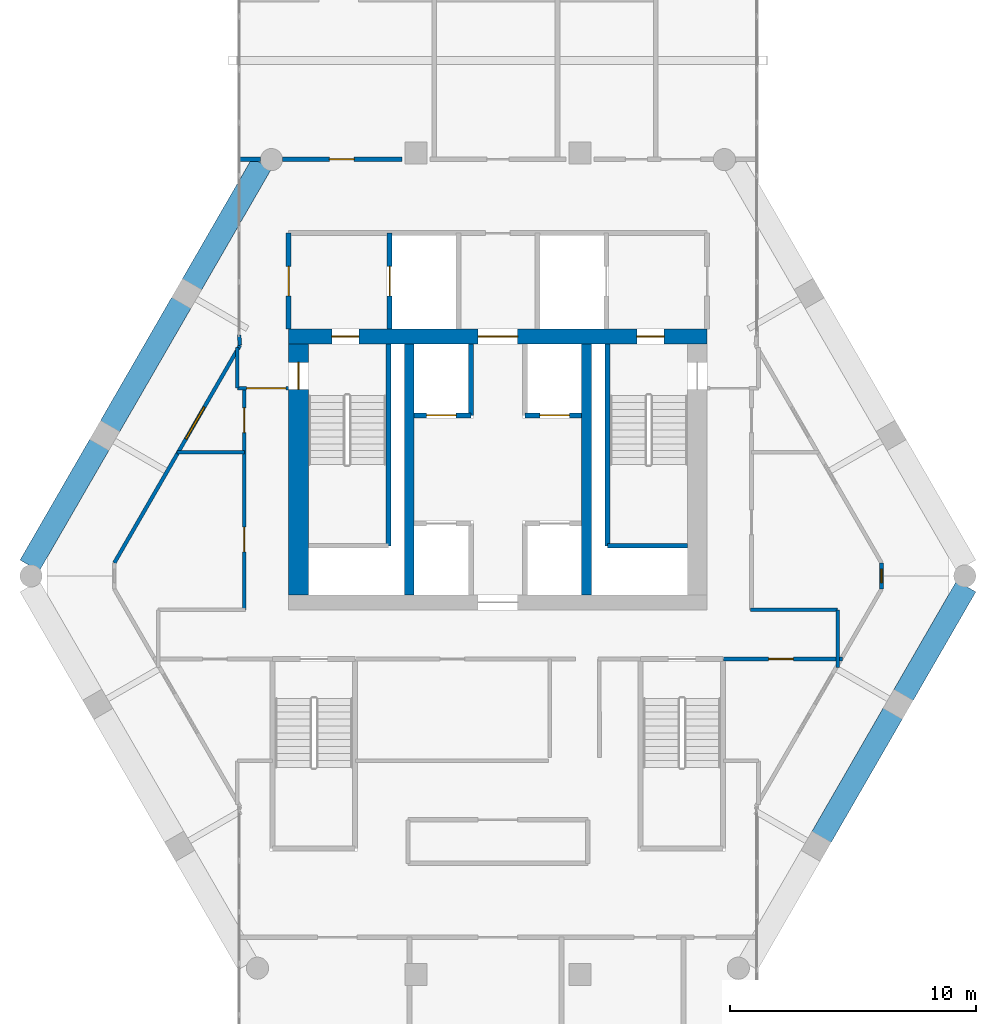
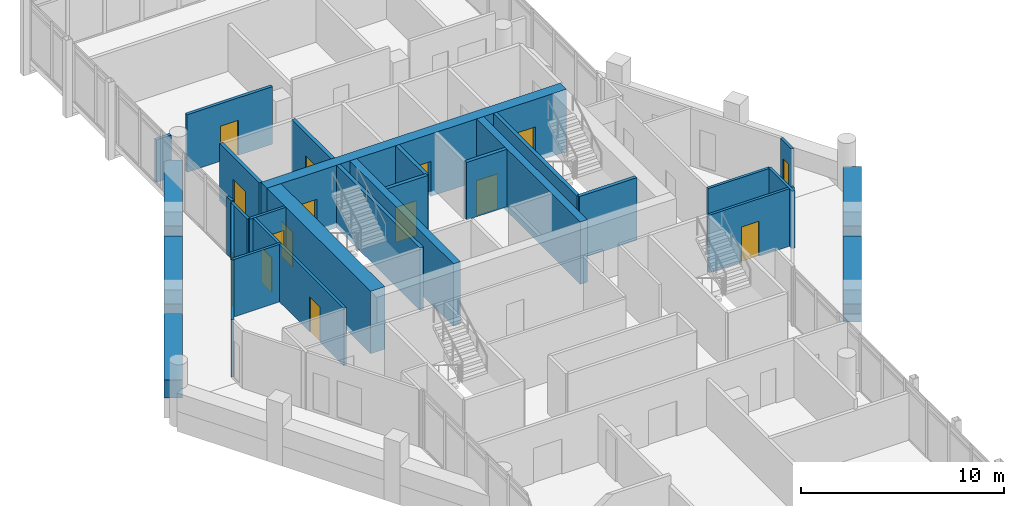
# One storey, part 22 of 25: 29 walls, 13 doors, 2 windows, 15 openings.
"""IFC4 building model written with IfcOpenShell, lengths in metres."""

from ifc_helpers import new_model, si_unit, direction, frame, frame_2d, origin, place, context, subcontext, project, spatial, rectangle, extrude, material, layer, layer_set, type_object, element, fill, save


model = new_model("IFC4")

# Units and contexts
model_context = context("Model", 3, precision=1e-05, world=origin(), true_north=direction((0.0, 1.0)))
body_context = subcontext(model_context, "Body", "Model", "MODEL_VIEW")
ifc_project = project(units=[si_unit("LENGTHUNIT", "METRE"), si_unit("AREAUNIT", "SQUARE_METRE"), si_unit("VOLUMEUNIT", "CUBIC_METRE"), si_unit("PLANEANGLEUNIT", "RADIAN"), si_unit("MASSUNIT", "GRAM", prefix="KILO")], contexts=[model_context])

# Site, building, storey
site_placement = place(None, origin())
site = spatial("IfcSite", under=ifc_project, at=site_placement, CompositionType="ELEMENT")
building_placement = place(site_placement, origin())
building = spatial("IfcBuilding", under=site, at=building_placement, Name="Ostrander Bayou Hotel Tower", CompositionType="ELEMENT")
storey_placement = place(building_placement, frame((0.0, 0.0, 233.25)))
storey = spatial("IfcBuildingStorey", under=building, at=storey_placement, Name="L58", CompositionType="ELEMENT", Elevation=233.25)

# Wall, openings, doors
ifc_material_1 = material(Name="Concrete f'c 60 MPa", Category="concrete")
ifc_layer_1 = layer(ifc_material_1, 0.60009765625)
ifc_layer_set_1 = layer_set([ifc_layer_1], Name="CW10 core wall 600 mm f'c 60 MPa")
wall_type_1 = type_object("IfcWallType", Name="CW10 core wall 600 mm f'c 60 MPa", PredefinedType="SHEAR", material=ifc_layer_set_1)
wall_1_placement = place(storey_placement, frame((-8.5, 9.39990234375, -0.300048828125), z_axis=(0.0, 0.0, 1.0), x_axis=(1.0, 0.0, 0.0)))
wall_1 = element("IfcWall", 1, at=wall_1_placement, inside=storey, type_object=wall_type_1, Name="CW10 L58 N", PredefinedType="SHEAR", context=body_context, shape_type="SweptSolid", body=[
    extrude(rectangle(XDim=17.0, YDim=0.60009765625, at=frame_2d((8.5, 0.0))), origin(), (0.0, 0.0, 1.0), 3.75),
])
opening_1_placement = place(wall_1_placement, frame((7.699951171875, 0.0, 0.0)))
opening_1 = element("IfcOpeningElement", 2, at=opening_1_placement, cuts=wall_1, Name="Opening T57-006", PredefinedType="OPENING", context=body_context, shape_type="SweptSolid", body=[
    extrude(rectangle(XDim=1.60009765625, YDim=2.10009765625, at=frame_2d((0.800048828125, 1.050048828125))), frame((0.0, 0.300048828125, 0.0), z_axis=(0.0, -1.0, 0.0), x_axis=(1.0, 0.0, 0.0)), (0.0, 0.0, 1.0), 0.60009765625),
])
opening_2_placement = place(wall_1_placement, frame((1.75, 0.0, 0.0)))
opening_2 = element("IfcOpeningElement", 3, at=opening_2_placement, cuts=wall_1, Name="Opening T57-007", PredefinedType="OPENING", context=body_context, shape_type="SweptSolid", body=[
    extrude(rectangle(XDim=1.10009765625, YDim=2.10009765625, at=frame_2d((0.550048828125, 1.050048828125))), frame((0.0, 0.300048828125, 0.0), z_axis=(0.0, -1.0, 0.0), x_axis=(1.0, 0.0, 0.0)), (0.0, 0.0, 1.0), 0.60009765625),
])
opening_3_placement = place(wall_1_placement, frame((14.14990234375, 0.0, 0.0)))
opening_3 = element("IfcOpeningElement", 4, at=opening_3_placement, cuts=wall_1, Name="Opening T57-009", PredefinedType="OPENING", context=body_context, shape_type="SweptSolid", body=[
    extrude(rectangle(XDim=1.10009765625, YDim=2.10009765625, at=frame_2d((0.550048828125, 1.050048828125))), frame((0.0, 0.300048828125, 0.0), z_axis=(0.0, -1.0, 0.0), x_axis=(1.0, 0.0, 0.0)), (0.0, 0.0, 1.0), 0.60009765625),
])
ifc_material_2 = material(Name="Timber door leaf", Category="wood")
door_type_1 = type_object("IfcDoorType", Name="D13 double door 1600 x 2100 mm, 1 hour", OperationType="SINGLE_SWING_LEFT", PredefinedType="DOOR", material=ifc_material_2)
door_1_placement = place(opening_1_placement, origin())
door_1 = element("IfcDoor", 5, at=door_1_placement, inside=storey, type_object=door_type_1, Name="dr:L58:006", OperationType="DOUBLE_DOOR_SINGLE_SWING", OverallHeight=2.10009765625, OverallWidth=1.60009765625, PredefinedType="DOOR", context=body_context, shape_type="SweptSolid", body=[
    extrude(rectangle(XDim=1.60009765625, YDim=2.10009765625, at=frame_2d((0.800048828125, 1.050048828125))), frame((0.0, 0.02490234375, 0.0), z_axis=(0.0, -1.0, 0.0), x_axis=(1.0, 0.0, 0.0)), (0.0, 0.0, 1.0), 0.050048828125),
])
fill(opening_1, door_1)
ifc_material_3 = material(Name="Timber door leaf", Category="wood")
door_type_2 = type_object("IfcDoorType", Name="D5 stair door 1100 x 2100 mm, 90 minute", OperationType="SINGLE_SWING_LEFT", PredefinedType="DOOR", material=ifc_material_3)
door_2_placement = place(opening_2_placement, origin())
door_2 = element("IfcDoor", 6, at=door_2_placement, inside=storey, type_object=door_type_2, Name="dr:L58:007", OperationType="SINGLE_SWING_LEFT", OverallHeight=2.10009765625, OverallWidth=1.10009765625, PredefinedType="DOOR", context=body_context, shape_type="SweptSolid", body=[
    extrude(rectangle(XDim=1.10009765625, YDim=2.10009765625, at=frame_2d((0.550048828125, 1.050048828125))), frame((0.0, 0.02490234375, 0.0), z_axis=(0.0, -1.0, 0.0), x_axis=(1.0, 0.0, 0.0)), (0.0, 0.0, 1.0), 0.050048828125),
])
fill(opening_2, door_2)
door_3_placement = place(opening_3_placement, origin())
door_3 = element("IfcDoor", 7, at=door_3_placement, inside=storey, type_object=door_type_2, Name="dr:L58:009", OperationType="SINGLE_SWING_RIGHT", OverallHeight=2.10009765625, OverallWidth=1.10009765625, PredefinedType="DOOR", context=body_context, shape_type="SweptSolid", body=[
    extrude(rectangle(XDim=1.10009765625, YDim=2.10009765625, at=frame_2d((0.550048828125, 1.050048828125))), frame((0.0, 0.02490234375, 0.0), z_axis=(0.0, -1.0, 0.0), x_axis=(1.0, 0.0, 0.0)), (0.0, 0.0, 1.0), 0.050048828125),
])
fill(opening_3, door_3)

# Wall, opening, door
ifc_material_4 = material(Name="Concrete f'c 60 MPa", Category="concrete")
ifc_layer_2 = layer(ifc_material_4, 0.800048828125)
ifc_layer_set_2 = layer_set([ifc_layer_2], Name="CW11 core spine wall 800 mm f'c 60 MPa")
wall_type_2 = type_object("IfcWallType", Name="CW11 core spine wall 800 mm f'c 60 MPa", PredefinedType="SHEAR", material=ifc_layer_set_2)
wall_2_placement = place(storey_placement, frame((-8.10009765625, -1.10009765625, -0.300048828125), z_axis=(0.0, 0.0, 1.0), x_axis=(0.0, 1.0, 0.0)))
wall_2 = element("IfcWall", 8, at=wall_2_placement, inside=storey, type_object=wall_type_2, Name="CW11 L58 W", PredefinedType="SHEAR", context=body_context, shape_type="SweptSolid", body=[
    extrude(rectangle(XDim=10.2001953125, YDim=0.800048828125, at=frame_2d((5.10009765625, 0.0))), origin(), (0.0, 0.0, 1.0), 3.75),
])
opening_4_placement = place(wall_2_placement, frame((8.35009765625, 0.0, 0.0)))
opening_4 = element("IfcOpeningElement", 9, at=opening_4_placement, cuts=wall_2, Name="Opening T57-008", PredefinedType="OPENING", context=body_context, shape_type="SweptSolid", body=[
    extrude(rectangle(XDim=1.10009765625, YDim=2.10009765625, at=frame_2d((0.550048828125, 1.050048828125))), frame((0.0, 0.39990234375, 0.0), z_axis=(0.0, -1.0, 0.0), x_axis=(1.0, 0.0, 0.0)), (0.0, 0.0, 1.0), 0.800048828125),
])
door_4_placement = place(opening_4_placement, origin())
door_4 = element("IfcDoor", 10, at=door_4_placement, inside=storey, type_object=door_type_2, Name="dr:L58:008", OperationType="SINGLE_SWING_RIGHT", OverallHeight=2.10009765625, OverallWidth=1.10009765625, PredefinedType="DOOR", context=body_context, shape_type="SweptSolid", body=[
    extrude(rectangle(XDim=1.10009765625, YDim=2.10009765625, at=frame_2d((0.550048828125, 1.050048828125))), frame((0.0, 0.02490234375, 0.0), z_axis=(0.0, -1.0, 0.0), x_axis=(1.0, 0.0, 0.0)), (0.0, 0.0, 1.0), 0.050048828125),
])
fill(opening_4, door_4)

# Walls
ifc_material_5 = material(Name="Concrete f'c 60 MPa", Category="concrete")
ifc_layer_3 = layer(ifc_material_5, 0.39990234375)
ifc_layer_set_3 = layer_set([ifc_layer_3], Name="CW12 core bank wall 400 mm f'c 60 MPa")
wall_type_3 = type_object("IfcWallType", Name="CW12 core bank wall 400 mm f'c 60 MPa", PredefinedType="SHEAR", material=ifc_layer_set_3)
for number, where, z_axis, x_axis, name in (
    (11, (-3.60009765625, -1.10009765625, -0.300048828125), (0.0, 0.0, 1.0), (0.0, 1.0, 0.0), "CW12 L58 CW"),
    (12, (3.60009765625, -1.10009765625, -0.300048828125), (0.0, 0.0, 1.0), (0.0, 1.0, 0.0), "CW12 L58 CE"),
):
    element("IfcWall", number, at=place(storey_placement, frame(where, z_axis=z_axis, x_axis=x_axis)), inside=storey, type_object=wall_type_3, Name=name, PredefinedType="SHEAR", context=body_context, shape_type="SweptSolid", body=[
        extrude(rectangle(XDim=10.2001953125, YDim=0.39990234375, at=frame_2d((5.10009765625, 0.0))), origin(), (0.0, 0.0, 1.0), 3.75),
    ])

# Wall, opening, window
ifc_material_6 = material(Name="Aluminium framed insulated wall", Category="aluminium")
ifc_layer_4 = layer(ifc_material_6, 0.14990234375)
ifc_layer_set_4 = layer_set([ifc_layer_4], Name="GW1 glass-line wall 150 mm")
wall_type_4 = type_object("IfcWallType", Name="GW1 glass-line wall 150 mm", PredefinedType="SOLIDWALL", material=ifc_layer_set_4)
wall_3_placement = place(storey_placement, frame((-10.47900390625, 9.04541015625, 0.0), z_axis=(0.0, 0.0, 1.0), x_axis=(-0.49998469459, -0.866034240187, 0.0)))
wall_3 = element("IfcWall", 13, at=wall_3_placement, inside=storey, type_object=wall_type_4, Name="GW1 L58 NW 1", PredefinedType="SOLIDWALL", context=body_context, shape_type="SweptSolid", body=[
    extrude(rectangle(XDim=10.207763671875, YDim=0.14990234375, at=frame_2d((5.10400390625, 0.0))), origin(), (0.0, 0.0, 1.0), 3.449951171875),
])
opening_5_placement = place(wall_3_placement, frame((2.89404296875, 0.0, 0.14990234375)))
opening_5 = element("IfcOpeningElement", 14, at=opening_5_placement, cuts=wall_3, Name="Opening W10", PredefinedType="OPENING", context=body_context, shape_type="SweptSolid", body=[
    extrude(rectangle(XDim=1.5, YDim=2.199951171875, at=frame_2d((0.75, 1.10009765625))), frame((0.0, 0.074951171875, 0.0), z_axis=(0.0, -1.0, 0.0), x_axis=(1.0, 0.0, 0.0)), (0.0, 0.0, 1.0), 0.14990234375),
])
ifc_material_7 = material(Name="Aluminium and clear glass", Category="aluminium")
window_type_1 = type_object("IfcWindowType", Name="W10 fixed window 1500 mm, bar storeys, zone 4", PartitioningType="SINGLE_PANEL", PredefinedType="WINDOW", material=ifc_material_7)
window_1_placement = place(opening_5_placement, origin())
window_1 = element("IfcWindow", 15, at=window_1_placement, inside=storey, type_object=window_type_1, Name="W10 L58 NW 3", OverallHeight=2.199951171875, OverallWidth=1.5, PartitioningType="SINGLE_PANEL", PredefinedType="WINDOW", context=body_context, shape_type="SweptSolid", body=[
    extrude(rectangle(XDim=1.5, YDim=2.199951171875, at=frame_2d((0.75, 1.10009765625))), frame((0.0, 0.030029296875, 0.0), z_axis=(0.0, -1.0, 0.0), x_axis=(1.0, 0.0, 0.0)), (0.0, 0.0, 1.0), 0.06005859375),
])
fill(opening_5, window_1)

wall_4_placement = place(storey_placement, frame((15.582763671875, -0.85986328125, 0.0), z_axis=(0.0, 0.0, 1.0), x_axis=(0.0, 1.0, 0.0)))
wall_4 = element("IfcWall", 16, at=wall_4_placement, inside=storey, type_object=wall_type_4, Name="GW1 L58 corner 5", PredefinedType="SOLIDWALL", context=body_context, shape_type="SweptSolid", body=[
    extrude(rectangle(XDim=1.06494140625, YDim=0.14990234375, at=frame_2d((0.532470703125, 0.0))), origin(), (0.0, 0.0, 1.0), 3.449951171875),
])
opening_6_placement = place(wall_4_placement, frame((0.257568359375, 0.0, 0.14990234375)))
opening_6 = element("IfcOpeningElement", 17, at=opening_6_placement, cuts=wall_4, Name="Opening W19", PredefinedType="OPENING", context=body_context, shape_type="SweptSolid", body=[
    extrude(rectangle(XDim=0.550048828125, YDim=2.199951171875, at=frame_2d((0.27490234375, 1.10009765625))), frame((0.0, 0.074951171875, 0.0), z_axis=(0.0, -1.0, 0.0), x_axis=(1.0, 0.0, 0.0)), (0.0, 0.0, 1.0), 0.14990234375),
])
ifc_material_8 = material(Name="Aluminium and clear glass", Category="aluminium")
window_type_2 = type_object("IfcWindowType", Name="W19 corner window 550 mm", PartitioningType="SINGLE_PANEL", PredefinedType="WINDOW", material=ifc_material_8)
window_2_placement = place(opening_6_placement, origin())
window_2 = element("IfcWindow", 18, at=window_2_placement, inside=storey, type_object=window_type_2, Name="W19 L58 corner 5", OverallHeight=2.199951171875, OverallWidth=0.550048828125, PartitioningType="SINGLE_PANEL", PredefinedType="WINDOW", context=body_context, shape_type="SweptSolid", body=[
    extrude(rectangle(XDim=0.550048828125, YDim=2.199951171875, at=frame_2d((0.27490234375, 1.10009765625))), frame((0.0, 0.030029296875, 0.0), z_axis=(0.0, -1.0, 0.0), x_axis=(1.0, 0.0, 0.0)), (0.0, 0.0, 1.0), 0.06005859375),
])
fill(opening_6, window_2)

# Walls
wall_5_placement = place(storey_placement, frame((-10.47900390625, 9.04541015625, 0.0), z_axis=(0.0, 0.0, 1.0), x_axis=(-0.078869316502, 0.996884963732, 0.0)))
element("IfcWall", 19, at=wall_5_placement, inside=storey, type_object=wall_type_4, Name="GW1 L58 bar joint 1", PredefinedType="SOLIDWALL", context=body_context, shape_type="SweptSolid", body=[
    extrude(rectangle(XDim=0.4208984375, YDim=0.14990234375, at=frame_2d((0.21044921875, 0.0))), origin(), (0.0, 0.0, 1.0), 3.449951171875),
])
ifc_material_9 = material(Name="Concrete f'c 40 MPa", Category="concrete")
ifc_layer_5 = layer(ifc_material_9, 0.89990234375)
ifc_layer_set_5 = layer_set([ifc_layer_5], Name="PA1 stone-faced parapet 900 mm")
wall_type_5 = type_object("IfcWallType", Name="PA1 stone-faced parapet 900 mm", PredefinedType="PARAPET", material=ifc_layer_set_5)
wall_6_placement = place(storey_placement, frame((-9.593994140625, 16.427978515625, 0.0), z_axis=(0.0, 0.0, 1.0), x_axis=(-0.499994028088, -0.866028851642, 0.0)))
element("IfcWall", 20, at=wall_6_placement, inside=storey, type_object=wall_type_5, Name="PA1 L58 NW-1", PredefinedType="PARAPET", context=body_context, shape_type="SweptSolid", body=[
    extrude(rectangle(XDim=5.6806640625, YDim=0.89990234375, at=frame_2d((2.84033203125, 0.0))), origin(), (0.0, 0.0, 1.0), 1.10009765625),
])
wall_7_placement = place(storey_placement, frame((-12.8544921875, 10.781005859375, 0.0), z_axis=(0.0, 0.0, 1.0), x_axis=(-0.499997265274, -0.866026982673, 0.0)))
element("IfcWall", 21, at=wall_7_placement, inside=storey, type_object=wall_type_5, Name="PA1 L58 NW-2", PredefinedType="PARAPET", context=body_context, shape_type="SweptSolid", body=[
    extrude(rectangle(XDim=5.81884765625, YDim=0.89990234375, at=frame_2d((2.909423828125, 0.0))), origin(), (0.0, 0.0, 1.0), 1.10009765625),
])
wall_8_placement = place(storey_placement, frame((-16.183837890625, 5.014404296875, 0.0), z_axis=(0.0, 0.0, 1.0), x_axis=(-0.499994028088, -0.866028851642, 0.0)))
element("IfcWall", 22, at=wall_8_placement, inside=storey, type_object=wall_type_5, Name="PA1 L58 NW-3", PredefinedType="PARAPET", context=body_context, shape_type="SweptSolid", body=[
    extrude(rectangle(XDim=5.6806640625, YDim=0.89990234375, at=frame_2d((2.84033203125, 0.0))), origin(), (0.0, 0.0, 1.0), 1.10009765625),
])
ifc_material_10 = material(Name="Limestone masonry", Category="masonry")
ifc_layer_6 = layer(ifc_material_10, 0.89990234375)
ifc_layer_set_6 = layer_set([ifc_layer_6], Name="PA2 limestone parapet 900 mm")
wall_type_6 = type_object("IfcWallType", Name="PA2 limestone parapet 900 mm", PredefinedType="PARAPET", material=ifc_layer_set_6)
wall_9_placement = place(storey_placement, frame((13.1376953125, -10.944580078125, 0.0), z_axis=(0.0, 0.0, 1.0), x_axis=(0.500015433515, 0.866016493057, 0.0)))
element("IfcWall", 23, at=wall_9_placement, inside=storey, type_object=wall_type_6, Name="PA2 L58 SE-2", PredefinedType="PARAPET", context=body_context, shape_type="SweptSolid", body=[
    extrude(rectangle(XDim=5.818603515625, YDim=0.89990234375, at=frame_2d((2.9091796875, 0.0))), origin(), (0.0, 0.0, 1.0), 1.10009765625),
])
wall_10_placement = place(storey_placement, frame((16.46728515625, -5.177978515625, 0.0), z_axis=(0.0, 0.0, 1.0), x_axis=(0.499995206172, 0.866028171485, 0.0)))
element("IfcWall", 24, at=wall_10_placement, inside=storey, type_object=wall_type_6, Name="PA2 L58 SE-3", PredefinedType="PARAPET", context=body_context, shape_type="SweptSolid", body=[
    extrude(rectangle(XDim=5.11376953125, YDim=0.89990234375, at=frame_2d((2.556884765625, 0.0))), origin(), (0.0, 0.0, 1.0), 1.10009765625),
])
ifc_material_11 = material(Name="Gypsum board partition", Category="finish")
ifc_layer_7 = layer(ifc_material_11, 0.175048828125)
ifc_layer_set_7 = layer_set([ifc_layer_7], Name="PT4 corridor wall 175 mm, 1 hour")
wall_type_7 = type_object("IfcWallType", Name="PT4 corridor wall 175 mm, 1 hour", PredefinedType="PARTITIONING", material=ifc_layer_set_7)
wall_11_placement = place(storey_placement, frame((-10.4931640625, 16.60009765625, 0.0), z_axis=(0.0, 0.0, 1.0), x_axis=(1.0, 0.0, 0.0)))
element("IfcWall", 25, at=wall_11_placement, inside=storey, type_object=wall_type_7, Name="sw:L58:503", PredefinedType="PARTITIONING", context=body_context, shape_type="SweptSolid", body=[
    extrude(rectangle(XDim=0.8447265625, YDim=0.175048828125, at=frame_2d((0.42236328125, 0.0))), origin(), (0.0, 0.0, 1.0), 2.550048828125),
])

# Wall, opening, door
wall_12_placement = place(storey_placement, frame((-8.750732421875, 16.60009765625, 0.0), z_axis=(0.0, 0.0, 1.0), x_axis=(1.0, 0.0, 0.0)))
wall_12 = element("IfcWall", 26, at=wall_12_placement, inside=storey, type_object=wall_type_7, Name="sw:L58:504", PredefinedType="PARTITIONING", context=body_context, shape_type="SweptSolid", body=[
    extrude(rectangle(XDim=4.857177734375, YDim=0.175048828125, at=frame_2d((2.4287109375, 0.0))), origin(), (0.0, 0.0, 1.0), 3.449951171875),
])
opening_7_placement = place(wall_12_placement, frame((1.906005859375, 0.0, 0.0)))
opening_7 = element("IfcOpeningElement", 27, at=opening_7_placement, cuts=wall_12, Name="Opening T57-1207", PredefinedType="OPENING", context=body_context, shape_type="SweptSolid", body=[
    extrude(rectangle(XDim=1.0, YDim=2.10009765625, at=frame_2d((0.5, 1.050048828125))), frame((0.0, 0.08740234375, 0.0), z_axis=(0.0, -1.0, 0.0), x_axis=(1.0, 0.0, 0.0)), (0.0, 0.0, 1.0), 0.175048828125),
])
ifc_material_12 = material(Name="Timber door leaf", Category="wood")
door_type_3 = type_object("IfcDoorType", Name="D9 service door 1000 x 2100 mm, 30 minute", OperationType="SINGLE_SWING_LEFT", PredefinedType="DOOR", material=ifc_material_12)
door_5_placement = place(opening_7_placement, origin())
door_5 = element("IfcDoor", 28, at=door_5_placement, inside=storey, type_object=door_type_3, Name="dr:L58:1207", OperationType="SINGLE_SWING_LEFT", OverallHeight=2.10009765625, OverallWidth=1.0, PredefinedType="DOOR", context=body_context, shape_type="SweptSolid", body=[
    extrude(rectangle(XDim=1.0, YDim=2.10009765625, at=frame_2d((0.5, 1.050048828125))), frame((0.0, 0.02490234375, 0.0), z_axis=(0.0, -1.0, 0.0), x_axis=(1.0, 0.0, 0.0)), (0.0, 0.0, 1.0), 0.050048828125),
])
fill(opening_7, door_5)

ifc_material_13 = material(Name="Masonry block", Category="masonry")
ifc_layer_8 = layer(ifc_material_13, 0.199951171875)
ifc_layer_set_8 = layer_set([ifc_layer_8], Name="PT5 stair enclosure wall 200 mm masonry, 2 hour")
wall_type_8 = type_object("IfcWallType", Name="PT5 stair enclosure wall 200 mm masonry, 2 hour", PredefinedType="PARTITIONING", material=ifc_layer_set_8)
wall_13_placement = place(storey_placement, frame((-8.5, 9.699951171875, 0.0), z_axis=(0.0, 0.0, 1.0), x_axis=(0.0, 1.0, 0.0)))
wall_13 = element("IfcWall", 29, at=wall_13_placement, inside=storey, type_object=wall_type_8, Name="cs:L58:022", PredefinedType="PARTITIONING", context=body_context, shape_type="SweptSolid", body=[
    extrude(rectangle(XDim=3.900146484375, YDim=0.199951171875, at=frame_2d((1.9501953125, 0.0))), origin(), (0.0, 0.0, 1.0), 3.449951171875),
])
opening_8_placement = place(wall_13_placement, frame((1.35009765625, 0.0, 0.0)))
opening_8 = element("IfcOpeningElement", 30, at=opening_8_placement, cuts=wall_13, Name="Opening T57-014", PredefinedType="OPENING", context=body_context, shape_type="SweptSolid", body=[
    extrude(rectangle(XDim=1.199951171875, YDim=2.10009765625, at=frame_2d((0.60009765625, 1.050048828125))), frame((0.0, 0.10009765625, 0.0), z_axis=(0.0, -1.0, 0.0), x_axis=(1.0, 0.0, 0.0)), (0.0, 0.0, 1.0), 0.199951171875),
])
ifc_material_14 = material(Name="Timber door leaf", Category="wood")
door_type_4 = type_object("IfcDoorType", Name="D7 lobby door 1200 x 2100 mm, 1 hour", OperationType="SINGLE_SWING_LEFT", PredefinedType="DOOR", material=ifc_material_14)
door_6_placement = place(opening_8_placement, origin())
door_6 = element("IfcDoor", 31, at=door_6_placement, inside=storey, type_object=door_type_4, Name="dr:L58:014", OperationType="SINGLE_SWING_LEFT", OverallHeight=2.10009765625, OverallWidth=1.199951171875, PredefinedType="DOOR", context=body_context, shape_type="SweptSolid", body=[
    extrude(rectangle(XDim=1.199951171875, YDim=2.10009765625, at=frame_2d((0.60009765625, 1.050048828125))), frame((0.0, 0.02490234375, 0.0), z_axis=(0.0, -1.0, 0.0), x_axis=(1.0, 0.0, 0.0)), (0.0, 0.0, 1.0), 0.050048828125),
])
fill(opening_8, door_6)

wall_14_placement = place(storey_placement, frame((-4.39990234375, 9.699951171875, 0.0), z_axis=(0.0, 0.0, 1.0), x_axis=(0.0, 1.0, 0.0)))
wall_14 = element("IfcWall", 32, at=wall_14_placement, inside=storey, type_object=wall_type_8, Name="cs:L58:024", PredefinedType="PARTITIONING", context=body_context, shape_type="SweptSolid", body=[
    extrude(rectangle(XDim=3.900146484375, YDim=0.199951171875, at=frame_2d((1.9501953125, 0.0))), origin(), (0.0, 0.0, 1.0), 3.449951171875),
])
opening_9_placement = place(wall_14_placement, frame((1.35009765625, 0.0, 0.0)))
opening_9 = element("IfcOpeningElement", 33, at=opening_9_placement, cuts=wall_14, Name="Opening T57-013", PredefinedType="OPENING", context=body_context, shape_type="SweptSolid", body=[
    extrude(rectangle(XDim=1.199951171875, YDim=2.10009765625, at=frame_2d((0.60009765625, 1.050048828125))), frame((0.0, 0.10009765625, 0.0), z_axis=(0.0, -1.0, 0.0), x_axis=(1.0, 0.0, 0.0)), (0.0, 0.0, 1.0), 0.199951171875),
])
ifc_material_15 = material(Name="Stainless steel sliding door", Category="steel")
door_type_5 = type_object("IfcDoorType", Name="LD1 lift landing door 1200 x 2100 mm", OperationType="SINGLE_SWING_LEFT", PredefinedType="DOOR", material=ifc_material_15)
door_7_placement = place(opening_9_placement, origin())
door_7 = element("IfcDoor", 34, at=door_7_placement, inside=storey, type_object=door_type_5, Name="dr:L58:013", OperationType="SLIDING_TO_LEFT", OverallHeight=2.10009765625, OverallWidth=1.199951171875, PredefinedType="DOOR", context=body_context, shape_type="SweptSolid", body=[
    extrude(rectangle(XDim=1.199951171875, YDim=2.10009765625, at=frame_2d((0.60009765625, 1.050048828125))), frame((0.0, 0.02490234375, 0.0), z_axis=(0.0, -1.0, 0.0), x_axis=(1.0, 0.0, 0.0)), (0.0, 0.0, 1.0), 0.050048828125),
])
fill(opening_9, door_7)

ifc_material_16 = material(Name="Masonry block", Category="masonry")
ifc_layer_9 = layer(ifc_material_16, 0.199951171875)
ifc_layer_set_9 = layer_set([ifc_layer_9], Name="PT6 lift shaft wall 200 mm masonry, 2 hour")
wall_type_9 = type_object("IfcWallType", Name="PT6 lift shaft wall 200 mm masonry, 2 hour", PredefinedType="PARTITIONING", material=ifc_layer_set_9)
wall_15_placement = place(storey_placement, frame((-3.39990234375, 6.199951171875, 0.0), z_axis=(0.0, 0.0, 1.0), x_axis=(1.0, 0.0, 0.0)))
wall_15 = element("IfcWall", 35, at=wall_15_placement, inside=storey, type_object=wall_type_9, Name="cs:L58:002", PredefinedType="PARTITIONING", context=body_context, shape_type="SweptSolid", body=[
    extrude(rectangle(XDim=2.2998046875, YDim=0.199951171875, at=frame_2d((1.14990234375, 0.0))), origin(), (0.0, 0.0, 1.0), 3.449951171875),
])
opening_10_placement = place(wall_15_placement, frame((0.5, 0.0, 0.0)))
opening_10 = element("IfcOpeningElement", 36, at=opening_10_placement, cuts=wall_15, Name="Opening T57-003", PredefinedType="OPENING", context=body_context, shape_type="SweptSolid", body=[
    extrude(rectangle(XDim=1.199951171875, YDim=2.10009765625, at=frame_2d((0.60009765625, 1.050048828125))), frame((0.0, 0.10009765625, 0.0), z_axis=(0.0, -1.0, 0.0), x_axis=(1.0, 0.0, 0.0)), (0.0, 0.0, 1.0), 0.199951171875),
])
door_8_placement = place(opening_10_placement, origin())
door_8 = element("IfcDoor", 37, at=door_8_placement, inside=storey, type_object=door_type_5, Name="dr:L58:003", OperationType="SLIDING_TO_LEFT", OverallHeight=2.10009765625, OverallWidth=1.199951171875, PredefinedType="DOOR", context=body_context, shape_type="SweptSolid", body=[
    extrude(rectangle(XDim=1.199951171875, YDim=2.10009765625, at=frame_2d((0.60009765625, 1.050048828125))), frame((0.0, 0.02490234375, 0.0), z_axis=(0.0, -1.0, 0.0), x_axis=(1.0, 0.0, 0.0)), (0.0, 0.0, 1.0), 0.050048828125),
])
fill(opening_10, door_8)

wall_16_placement = place(storey_placement, frame((1.10009765625, 6.199951171875, 0.0), z_axis=(0.0, 0.0, 1.0), x_axis=(1.0, 0.0, 0.0)))
wall_16 = element("IfcWall", 38, at=wall_16_placement, inside=storey, type_object=wall_type_9, Name="cs:L58:004", PredefinedType="PARTITIONING", context=body_context, shape_type="SweptSolid", body=[
    extrude(rectangle(XDim=2.2998046875, YDim=0.199951171875, at=frame_2d((1.14990234375, 0.0))), origin(), (0.0, 0.0, 1.0), 3.449951171875),
])
opening_11_placement = place(wall_16_placement, frame((0.60009765625, 0.0, 0.0)))
opening_11 = element("IfcOpeningElement", 39, at=opening_11_placement, cuts=wall_16, Name="Opening T57-004", PredefinedType="OPENING", context=body_context, shape_type="SweptSolid", body=[
    extrude(rectangle(XDim=1.199951171875, YDim=2.10009765625, at=frame_2d((0.60009765625, 1.050048828125))), frame((0.0, 0.10009765625, 0.0), z_axis=(0.0, -1.0, 0.0), x_axis=(1.0, 0.0, 0.0)), (0.0, 0.0, 1.0), 0.199951171875),
])
door_9_placement = place(opening_11_placement, origin())
door_9 = element("IfcDoor", 40, at=door_9_placement, inside=storey, type_object=door_type_5, Name="dr:L58:004", OperationType="SLIDING_TO_LEFT", OverallHeight=2.10009765625, OverallWidth=1.199951171875, PredefinedType="DOOR", context=body_context, shape_type="SweptSolid", body=[
    extrude(rectangle(XDim=1.199951171875, YDim=2.10009765625, at=frame_2d((0.60009765625, 1.050048828125))), frame((0.0, 0.02490234375, 0.0), z_axis=(0.0, -1.0, 0.0), x_axis=(1.0, 0.0, 0.0)), (0.0, 0.0, 1.0), 0.050048828125),
])
fill(opening_11, door_9)

# Wall
wall_17_placement = place(storey_placement, frame((-1.10009765625, 6.199951171875, 0.0), z_axis=(0.0, 0.0, 1.0), x_axis=(0.0, 1.0, 0.0)))
element("IfcWall", 41, at=wall_17_placement, inside=storey, type_object=wall_type_9, Name="cs:L58:007", PredefinedType="PARTITIONING", context=body_context, shape_type="SweptSolid", body=[
    extrude(rectangle(XDim=2.900146484375, YDim=0.199951171875, at=frame_2d((1.4501953125, 0.0))), origin(), (0.0, 0.0, 1.0), 3.449951171875),
])

# Wall, opening, door
ifc_material_17 = material(Name="Gypsum board partition", Category="finish")
ifc_layer_10 = layer(ifc_material_17, 0.14990234375)
ifc_layer_set_10 = layer_set([ifc_layer_10], Name="PT8 service band wall 150 mm, 1 hour")
wall_type_10 = type_object("IfcWallType", Name="PT8 service band wall 150 mm, 1 hour", PredefinedType="PARTITIONING", material=ifc_layer_set_10)
wall_18_placement = place(storey_placement, frame((9.159912109375, -3.699951171875, 0.0), z_axis=(0.0, 0.0, 1.0), x_axis=(1.0, 0.0, 0.0)))
wall_18 = element("IfcWall", 42, at=wall_18_placement, inside=storey, type_object=wall_type_10, Name="gw:L58:007", PredefinedType="PARTITIONING", context=body_context, shape_type="SweptSolid", body=[
    extrude(rectangle(XDim=4.835205078125, YDim=0.14990234375, at=frame_2d((2.41748046875, 0.0))), origin(), (0.0, 0.0, 1.0), 3.449951171875),
])
opening_12_placement = place(wall_18_placement, frame((1.840087890625, 0.0, 0.0)))
opening_12 = element("IfcOpeningElement", 43, at=opening_12_placement, cuts=wall_18, Name="Opening T57-402", PredefinedType="OPENING", context=body_context, shape_type="SweptSolid", body=[
    extrude(rectangle(XDim=1.0, YDim=2.10009765625, at=frame_2d((0.5, 1.050048828125))), frame((0.0, 0.074951171875, 0.0), z_axis=(0.0, -1.0, 0.0), x_axis=(1.0, 0.0, 0.0)), (0.0, 0.0, 1.0), 0.14990234375),
])
door_10_placement = place(opening_12_placement, origin())
door_10 = element("IfcDoor", 44, at=door_10_placement, inside=storey, type_object=door_type_3, Name="dr:L58:402", OperationType="SINGLE_SWING_LEFT", OverallHeight=2.10009765625, OverallWidth=1.0, PredefinedType="DOOR", context=body_context, shape_type="SweptSolid", body=[
    extrude(rectangle(XDim=1.0, YDim=2.10009765625, at=frame_2d((0.5, 1.050048828125))), frame((0.0, 0.02490234375, 0.0), z_axis=(0.0, -1.0, 0.0), x_axis=(1.0, 0.0, 0.0)), (0.0, 0.0, 1.0), 0.050048828125),
])
fill(opening_12, door_10)

# Walls
wall_19_placement = place(storey_placement, frame((10.260009765625, -1.699951171875, 0.0), z_axis=(0.0, 0.0, 1.0), x_axis=(1.0, 0.0, 0.0)))
element("IfcWall", 45, at=wall_19_placement, inside=storey, type_object=wall_type_10, Name="gw:L58:009", PredefinedType="PARTITIONING", context=body_context, shape_type="SweptSolid", body=[
    extrude(rectangle(XDim=3.5400390625, YDim=0.14990234375, at=frame_2d((1.77001953125, 0.0))), origin(), (0.0, 0.0, 1.0), 3.449951171875),
])
wall_20_placement = place(storey_placement, frame((-13.0400390625, 4.699951171875, 0.0), z_axis=(0.0, 0.0, 1.0), x_axis=(1.0, 0.0, 0.0)))
element("IfcWall", 46, at=wall_20_placement, inside=storey, type_object=wall_type_10, Name="gw:L58:010", PredefinedType="PARTITIONING", context=body_context, shape_type="SweptSolid", body=[
    extrude(rectangle(XDim=2.739990234375, YDim=0.14990234375, at=frame_2d((1.3701171875, 0.0))), origin(), (0.0, 0.0, 1.0), 3.449951171875),
])

# Wall, opening, door
wall_21_placement = place(storey_placement, frame((-10.5849609375, 7.300048828125, 0.0), z_axis=(0.0, 0.0, 1.0), x_axis=(1.0, 0.0, 0.0)))
wall_21 = element("IfcWall", 47, at=wall_21_placement, inside=storey, type_object=wall_type_10, Name="gw:L58:012", PredefinedType="PARTITIONING", context=body_context, shape_type="SweptSolid", body=[
    extrude(rectangle(XDim=2.074951171875, YDim=0.14990234375, at=frame_2d((1.03759765625, 0.0))), origin(), (0.0, 0.0, 1.0), 3.449951171875),
])
opening_13_placement = place(wall_21_placement, frame((0.375, 0.0, 0.0)))
opening_13 = element("IfcOpeningElement", 48, at=opening_13_placement, cuts=wall_21, Name="Opening T57-1212", PredefinedType="OPENING", context=body_context, shape_type="SweptSolid", body=[
    extrude(rectangle(XDim=1.60009765625, YDim=2.10009765625, at=frame_2d((0.800048828125, 1.050048828125))), frame((0.0, 0.074951171875, 0.0), z_axis=(0.0, -1.0, 0.0), x_axis=(1.0, 0.0, 0.0)), (0.0, 0.0, 1.0), 0.14990234375),
])
door_11_placement = place(opening_13_placement, origin())
door_11 = element("IfcDoor", 49, at=door_11_placement, inside=storey, type_object=door_type_1, Name="dr:L58:1212", OperationType="DOUBLE_DOOR_SINGLE_SWING", OverallHeight=2.10009765625, OverallWidth=1.60009765625, PredefinedType="DOOR", context=body_context, shape_type="SweptSolid", body=[
    extrude(rectangle(XDim=1.60009765625, YDim=2.10009765625, at=frame_2d((0.800048828125, 1.050048828125))), frame((0.0, 0.02490234375, 0.0), z_axis=(0.0, -1.0, 0.0), x_axis=(1.0, 0.0, 0.0)), (0.0, 0.0, 1.0), 0.050048828125),
])
fill(opening_13, door_11)

# Wall
wall_22_placement = place(storey_placement, frame((13.800048828125, -4.0380859375, 0.0), z_axis=(0.0, 0.0, 1.0), x_axis=(0.0, 1.0, 0.0)))
element("IfcWall", 50, at=wall_22_placement, inside=storey, type_object=wall_type_10, Name="gw:L58:014", PredefinedType="PARTITIONING", context=body_context, shape_type="SweptSolid", body=[
    extrude(rectangle(XDim=2.338134765625, YDim=0.14990234375, at=frame_2d((1.1689453125, 0.0))), origin(), (0.0, 0.0, 1.0), 3.449951171875),
])

# Wall, openings, doors
wall_23_placement = place(storey_placement, frame((-10.300048828125, -1.699951171875, 0.0), z_axis=(0.0, 0.0, 1.0), x_axis=(0.0, 1.0, 0.0)))
wall_23 = element("IfcWall", 51, at=wall_23_placement, inside=storey, type_object=wall_type_10, Name="gw:L58:019", PredefinedType="PARTITIONING", context=body_context, shape_type="SweptSolid", body=[
    extrude(rectangle(XDim=9.0, YDim=0.14990234375, at=frame_2d((4.5, 0.0))), origin(), (0.0, 0.0, 1.0), 3.449951171875),
])
opening_14_placement = place(wall_23_placement, frame((2.35400390625, 0.0, 0.0)))
opening_14 = element("IfcOpeningElement", 52, at=opening_14_placement, cuts=wall_23, Name="Opening T57-403", PredefinedType="OPENING", context=body_context, shape_type="SweptSolid", body=[
    extrude(rectangle(XDim=1.0, YDim=2.10009765625, at=frame_2d((0.5, 1.050048828125))), frame((0.0, 0.074951171875, 0.0), z_axis=(0.0, -1.0, 0.0), x_axis=(1.0, 0.0, 0.0)), (0.0, 0.0, 1.0), 0.14990234375),
])
opening_15_placement = place(wall_23_placement, frame((7.199951171875, 0.0, 0.0)))
opening_15 = element("IfcOpeningElement", 53, at=opening_15_placement, cuts=wall_23, Name="Opening T57-404", PredefinedType="OPENING", context=body_context, shape_type="SweptSolid", body=[
    extrude(rectangle(XDim=1.0, YDim=2.10009765625, at=frame_2d((0.5, 1.050048828125))), frame((0.0, 0.074951171875, 0.0), z_axis=(0.0, -1.0, 0.0), x_axis=(1.0, 0.0, 0.0)), (0.0, 0.0, 1.0), 0.14990234375),
])
ifc_material_18 = material(Name="Timber door leaf", Category="wood")
door_type_6 = type_object("IfcDoorType", Name="D15 room door 1000 x 2100 mm", OperationType="SINGLE_SWING_LEFT", PredefinedType="DOOR", material=ifc_material_18)
door_12_placement = place(opening_14_placement, origin())
door_12 = element("IfcDoor", 54, at=door_12_placement, inside=storey, type_object=door_type_6, Name="dr:L58:403", OperationType="SINGLE_SWING_LEFT", OverallHeight=2.10009765625, OverallWidth=1.0, PredefinedType="DOOR", context=body_context, shape_type="SweptSolid", body=[
    extrude(rectangle(XDim=1.0, YDim=2.10009765625, at=frame_2d((0.5, 1.050048828125))), frame((0.0, 0.02490234375, 0.0), z_axis=(0.0, -1.0, 0.0), x_axis=(1.0, 0.0, 0.0)), (0.0, 0.0, 1.0), 0.050048828125),
])
fill(opening_14, door_12)
door_13_placement = place(opening_15_placement, origin())
door_13 = element("IfcDoor", 55, at=door_13_placement, inside=storey, type_object=door_type_3, Name="dr:L58:404", OperationType="SINGLE_SWING_LEFT", OverallHeight=2.10009765625, OverallWidth=1.0, PredefinedType="DOOR", context=body_context, shape_type="SweptSolid", body=[
    extrude(rectangle(XDim=1.0, YDim=2.10009765625, at=frame_2d((0.5, 1.050048828125))), frame((0.0, 0.02490234375, 0.0), z_axis=(0.0, -1.0, 0.0), x_axis=(1.0, 0.0, 0.0)), (0.0, 0.0, 1.0), 0.050048828125),
])
fill(opening_15, door_13)

# Walls
wall_24_placement = place(storey_placement, frame((-10.5849609375, 7.300048828125, 0.0), z_axis=(0.0, 0.0, 1.0), x_axis=(0.0, 1.0, 0.0)))
element("IfcWall", 56, at=wall_24_placement, inside=storey, type_object=wall_type_10, Name="gw:L58:021", PredefinedType="PARTITIONING", context=body_context, shape_type="SweptSolid", body=[
    extrude(rectangle(XDim=1.65185546875, YDim=0.14990234375, at=frame_2d((0.825927734375, 0.0))), origin(), (0.0, 0.0, 1.0), 3.449951171875),
])
ifc_material_19 = material(Name="Concrete f'c 45 MPa", Category="concrete")
ifc_layer_11 = layer(ifc_material_19, 0.199951171875)
ifc_layer_set_11 = layer_set([ifc_layer_11], Name="SW5 stair enclosure wall 200 mm f'c 45 MPa")
wall_type_11 = type_object("IfcWallType", Name="SW5 stair enclosure wall 200 mm f'c 45 MPa", PredefinedType="SOLIDWALL", material=ifc_layer_set_11)
for number, where, z_axis, x_axis, name in (
    (57, (-4.449951171875, 0.89990234375, -0.300048828125), (0.0, 0.0, 1.0), (0.0, 1.0, 0.0), "cs:L58:009"),
    (58, (4.449951171875, 0.89990234375, -0.300048828125), (0.0, 0.0, 1.0), (0.0, 1.0, 0.0), "cs:L58:011"),
):
    element("IfcWall", number, at=place(storey_placement, frame(where, z_axis=z_axis, x_axis=x_axis)), inside=storey, type_object=wall_type_11, Name=name, PredefinedType="SOLIDWALL", context=body_context, shape_type="SweptSolid", body=[
        extrude(rectangle(XDim=8.2001953125, YDim=0.199951171875, at=frame_2d((4.10009765625, 0.0))), origin(), (0.0, 0.0, 1.0), 3.75),
    ])
wall_25_placement = place(storey_placement, frame((4.449951171875, 0.89990234375, -0.300048828125), z_axis=(0.0, 0.0, 1.0), x_axis=(1.0, 0.0, 0.0)))
element("IfcWall", 59, at=wall_25_placement, inside=storey, type_object=wall_type_11, Name="cs:L58:012", PredefinedType="SOLIDWALL", context=body_context, shape_type="SweptSolid", body=[
    extrude(rectangle(XDim=3.25, YDim=0.199951171875, at=frame_2d((1.625, 0.0))), origin(), (0.0, 0.0, 1.0), 3.75),
])

save(model, "model.ifc")
